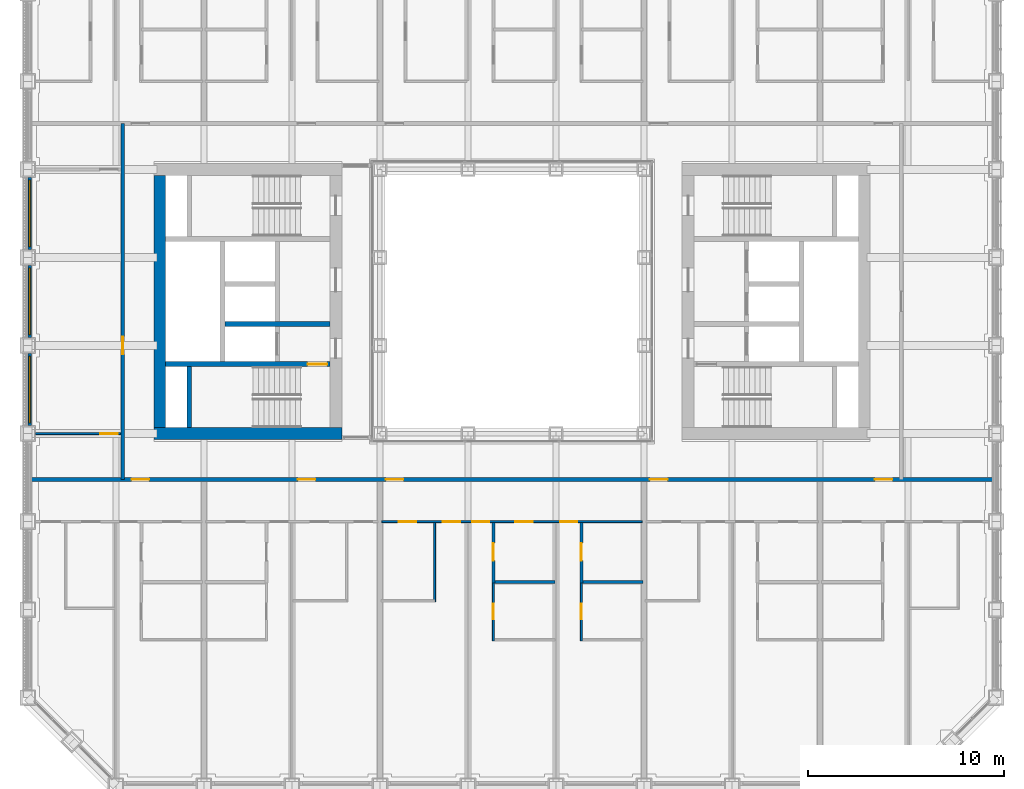
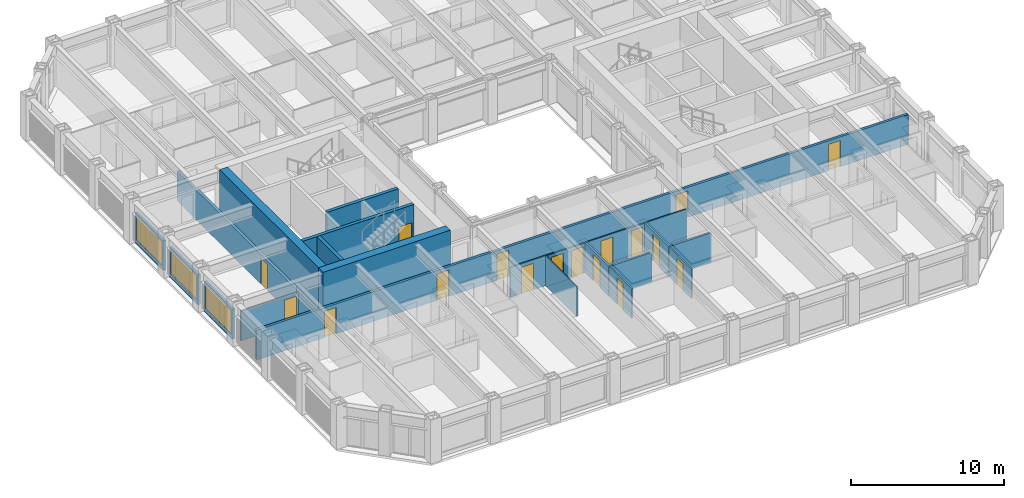
# One storey, part 10 of 21: 19 walls, 17 doors, 3 windows, 20 openings.
"""IFC4 building model written with IfcOpenShell, lengths in metres."""

import ifcopenshell
import ifcopenshell.guid

model = None  # the IFC model being written
_history = None  # IfcOwnerHistory: only IFC2X3 demands one
_inside = {}  # id of a spatial element -> (the spatial element, [elements in it])
_under = {}  # id of a project, library or spatial element -> (it, [spatial elements below it])
_declared = {}  # id of a project -> (the project, [libraries it declares])
_typed = {}  # id of a type object -> (the type object, [elements of that type])
_made_of = {}  # id of a material, layer set ... -> (it, [elements and type objects made of it])


def new_model(schema):
    """Start an empty IFC model of exactly this schema.

    Asked for "IFC4X3", IfcOpenShell would pick the latest addendum, in which some entities
    have other attributes; the version numbers below select the first issue.
    IFC2X3 requires an IfcOwnerHistory on every rooted entity: one is made here for all.
    """
    global model, _history
    if schema == "IFC4X3":
        model = ifcopenshell.file(schema_version=(4, 3, 0, 0))
    else:
        model = ifcopenshell.file(schema=schema)
    _inside.clear()
    _under.clear()
    _declared.clear()
    _typed.clear()
    _made_of.clear()
    _history = None
    if model.schema == "IFC2X3":
        org = make("IfcOrganization", Name="unknown")
        user = make(
            "IfcPersonAndOrganization",
            ThePerson=make("IfcPerson", FamilyName="unknown"),
            TheOrganization=org,
        )
        app = make(
            "IfcApplication",
            ApplicationDeveloper=org,
            Version="unknown",
            ApplicationFullName="unknown",
            ApplicationIdentifier="unknown",
        )
        _history = make(
            "IfcOwnerHistory",
            OwningUser=user,
            OwningApplication=app,
            ChangeAction="ADDED",
            CreationDate=0,
        )
    return model


def make(cls, **values):
    """One entity of the class cls with the attributes given. An attribute that is None is left unset."""
    return model.create_entity(
        cls, **{name: value for name, value in values.items() if value is not None}
    )


def rooted(cls, **values):
    """An entity with a GlobalId (a new one), such as an element, a storey or a relation."""
    return make(cls, GlobalId=ifcopenshell.guid.new(), OwnerHistory=_history, **values)


def si_unit(unit_type, name, prefix=None):
    """IfcSIUnit, for example si_unit("LENGTHUNIT", "METRE", prefix="MILLI")."""
    return make("IfcSIUnit", UnitType=unit_type, Prefix=prefix, Name=name)


def assignment(units):
    """IfcUnitAssignment: the units of a project."""
    return None if units is None else make("IfcUnitAssignment", Units=units)


def point(xyz):
    """IfcCartesianPoint."""
    return None if xyz is None else make("IfcCartesianPoint", Coordinates=xyz)


def direction(xyz):
    """IfcDirection."""
    return None if xyz is None else make("IfcDirection", DirectionRatios=xyz)


def frame(location, z_axis=None, x_axis=None):
    """IfcAxis2Placement3D, a coordinate frame: its origin and axes. An axis left out is left unset."""
    return make(
        "IfcAxis2Placement3D",
        Location=point(location),
        Axis=direction(z_axis),
        RefDirection=direction(x_axis),
    )


def frame_2d(location, x_axis=None):
    """IfcAxis2Placement2D, a coordinate frame in the plane: its origin and x axis."""
    return make(
        "IfcAxis2Placement2D", Location=point(location), RefDirection=direction(x_axis)
    )


def origin():
    """The frame at (0, 0, 0) with its axes left unset."""
    return frame((0.0, 0.0, 0.0))


def place(relative_to, where):
    """IfcLocalPlacement: puts the frame where relative to a parent placement (None: the world)."""
    return make(
        "IfcLocalPlacement", PlacementRelTo=relative_to, RelativePlacement=where
    )


def context(
    kind, dimensions, precision=None, world=None, true_north=None, identifier=None
):
    """IfcGeometricRepresentationContext, for example the 3D "Model" context."""
    return make(
        "IfcGeometricRepresentationContext",
        ContextIdentifier=identifier,
        ContextType=kind,
        CoordinateSpaceDimension=dimensions,
        Precision=precision,
        WorldCoordinateSystem=world,
        TrueNorth=true_north,
    )


def subcontext(parent, identifier, kind, view, scale=None):
    """IfcGeometricRepresentationSubContext, for example "Body" below "Model"."""
    return make(
        "IfcGeometricRepresentationSubContext",
        ContextIdentifier=identifier,
        ContextType=kind,
        ParentContext=parent,
        TargetScale=scale,
        TargetView=view,
    )


def project(units=None, contexts=None):
    """IfcProject with its units and contexts."""
    return rooted(
        "IfcProject",
        Name="project",
        RepresentationContexts=contexts,
        UnitsInContext=assignment(units),
    )


def spatial(cls, under=None, at=None, **own):
    """A site, building, storey or space (cls), placed at a placement, below another one or the project."""
    s = rooted(cls, ObjectPlacement=at, **own)
    if under is not None:
        _under.setdefault(under.id(), (under, []))[1].append(s)
    return s


def profile(cls, at=None, kind="AREA", **sizes):
    """A parametric profile (cls). Its sizes go by their IFC names, for example OverallWidth=200.0."""
    return make(cls, ProfileType=kind, Position=at, **sizes)


def rectangle(**sizes):
    """IfcRectangleProfileDef."""
    return profile("IfcRectangleProfileDef", **sizes)


def extrude(swept, where, along, depth):
    """IfcExtrudedAreaSolid: the profile swept, set in the frame where, extruded along a direction by depth."""
    return make(
        "IfcExtrudedAreaSolid",
        SweptArea=swept,
        Position=where,
        ExtrudedDirection=direction(along),
        Depth=depth,
    )


def shape(context_of_items, identifier, shape_type, items):
    """IfcShapeRepresentation: the items that make up one representation, for example the "Body"."""
    return make(
        "IfcShapeRepresentation",
        ContextOfItems=context_of_items,
        RepresentationIdentifier=identifier,
        RepresentationType=shape_type,
        Items=items,
    )


def material(Name=None, Category=None):
    """IfcMaterial."""
    return make("IfcMaterial", Name=Name, Category=Category)


def layer(
    of_material, thickness, ventilated=None, Name=None, Category=None, Priority=None
):
    """IfcMaterialLayer: one layer of a wall or slab, of a material (None: an air gap)."""
    return make(
        "IfcMaterialLayer",
        Material=of_material,
        LayerThickness=thickness,
        IsVentilated=ventilated,
        Name=Name,
        Category=Category,
        Priority=Priority,
    )


def layer_set(layers, Name=None):
    """IfcMaterialLayerSet."""
    return make("IfcMaterialLayerSet", MaterialLayers=layers, LayerSetName=Name)


def made_of(thing, what):
    """Note that an element or type object is made of a material, layer set ...; save() writes the relation."""
    if what is not None:
        _made_of.setdefault(what.id(), (what, []))[1].append(thing)
    return thing


def type_object(cls, material=None, **own):
    """A type object (cls), such as IfcWallType, which elements share."""
    return made_of(rooted(cls, **own), material)


def element(
    cls,
    number,
    at=None,
    inside=None,
    cuts=None,
    type_object=None,
    material=None,
    context=None,
    identifier="Body",
    shape_type=None,
    held_by="IfcProductDefinitionShape",
    body=None,
    shapes=None,
    **own,
):
    """One element of the class cls, such as IfcWall. Its Tag is "e" and its number.

    at: its placement. inside: the storey or other place that contains it. cuts: it is an
    opening in that element (IfcRelVoidsElement). A single representation is given by context,
    identifier, shape_type and body (its items); several are given by shapes. held_by: the class
    of the entity that holds the representations. save() writes the other relations.
    """
    e = rooted(cls, Tag="e%d" % number, ObjectPlacement=at, **own)
    if body is not None:
        shapes = [shape(context, identifier, shape_type, body)]
    if shapes is not None:
        e.Representation = make(held_by, Representations=shapes)
    if inside is not None:
        _inside.setdefault(inside.id(), (inside, []))[1].append(e)
    if cuts is not None:
        rooted(
            "IfcRelVoidsElement", RelatingBuildingElement=cuts, RelatedOpeningElement=e
        )
    if type_object is not None:
        _typed.setdefault(type_object.id(), (type_object, []))[1].append(e)
    return made_of(e, material)


def fill(opening, filler):
    """IfcRelFillsElement: the door or window that sits in an opening."""
    return rooted(
        "IfcRelFillsElement",
        RelatingOpeningElement=opening,
        RelatedBuildingElement=filler,
    )


def aggregate(whole, parts):
    """IfcRelAggregates: a whole, such as a stair, and the parts it consists of."""
    return rooted("IfcRelAggregates", RelatingObject=whole, RelatedObjects=parts)


def save(model, path):
    """Write the relations noted so far, then the file.

    IfcRelAggregates (storeys below a building ...), IfcRelContainedInSpatialStructure (elements
    in a storey), IfcRelDefinesByType, IfcRelAssociatesMaterial and IfcRelDeclares: one each for
    every whole, place, type object, material and project.
    """
    for whole, parts in _under.values():
        aggregate(whole, parts)
    for where, things in _inside.values():
        rooted(
            "IfcRelContainedInSpatialStructure",
            RelatedElements=things,
            RelatingStructure=where,
        )
    for kind, things in _typed.values():
        rooted("IfcRelDefinesByType", RelatedObjects=things, RelatingType=kind)
    for what, things in _made_of.values():
        rooted("IfcRelAssociatesMaterial", RelatedObjects=things, RelatingMaterial=what)
    for by, libraries in _declared.values():
        rooted("IfcRelDeclares", RelatingContext=by, RelatedDefinitions=libraries)
    model.write(path)


model = new_model("IFC4")

# Units and contexts
model_context = context("Model", 3, precision=1e-05, world=origin(), true_north=direction((0.0, 1.0)))
body_context = subcontext(model_context, "Body", "Model", "MODEL_VIEW")
ifc_project = project(units=[si_unit("LENGTHUNIT", "METRE"), si_unit("AREAUNIT", "SQUARE_METRE"), si_unit("VOLUMEUNIT", "CUBIC_METRE"), si_unit("PLANEANGLEUNIT", "RADIAN"), si_unit("MASSUNIT", "GRAM", prefix="KILO")], contexts=[model_context])

# Site, building, storey
site_placement = place(None, origin())
site = spatial("IfcSite", under=ifc_project, at=site_placement, CompositionType="ELEMENT")
building_placement = place(site_placement, origin())
building = spatial("IfcBuilding", under=site, at=building_placement, Name="Msasa Ring Tower", CompositionType="ELEMENT")
storey_placement = place(building_placement, frame((0.0, 0.0, 51.0)))
storey = spatial("IfcBuildingStorey", under=building, at=storey_placement, Name="L12", CompositionType="ELEMENT", Elevation=51.0)

# Walls
ifc_material_1 = material(Name="Concrete C60/75", Category="concrete")
ifc_layer_1 = layer(ifc_material_1, 0.60009765625)
ifc_layer_set_1 = layer_set([ifc_layer_1], Name="CW1 CORE WALL 600")
wall_type_1 = type_object("IfcWallType", Name="CW1 CORE WALL 600", PredefinedType="SHEAR", material=ifc_layer_set_1)
wall_1_placement = place(storey_placement, frame((-8.699951171875, -6.75, 0.0), z_axis=(0.0, 0.0, 1.0), x_axis=(-1.0, 0.0, 0.0)))
element("IfcWall", 1, at=wall_1_placement, inside=storey, type_object=wall_type_1, Name="W core wall S L12", PredefinedType="SHEAR", context=body_context, shape_type="SweptSolid", body=[
    extrude(rectangle(XDim=9.60009765625, YDim=0.60009765625, at=frame_2d((4.800048828125, 0.0))), origin(), (0.0, 0.0, 1.0), 3.5),
])
wall_2_placement = place(storey_placement, frame((-18.0, -6.449951171875, 0.0), z_axis=(0.0, 0.0, 1.0), x_axis=(0.0, 1.0, 0.0)))
element("IfcWall", 2, at=wall_2_placement, inside=storey, type_object=wall_type_1, Name="W core wall E L12", PredefinedType="SHEAR", context=body_context, shape_type="SweptSolid", body=[
    extrude(rectangle(XDim=12.89990234375, YDim=0.60009765625, at=frame_2d((6.449951171875, 0.0))), origin(), (0.0, 0.0, 1.0), 3.5),
])

# Wall, opening, door
ifc_material_2 = material(Name="Concrete C60/75", Category="concrete")
ifc_layer_2 = layer(ifc_material_2, 0.25)
ifc_layer_set_2 = layer_set([ifc_layer_2], Name="CW4 CORE INNER WALL 250")
wall_type_2 = type_object("IfcWallType", Name="CW4 CORE INNER WALL 250", PredefinedType="SHEAR", material=ifc_layer_set_2)
wall_3_placement = place(storey_placement, frame((-9.300048828125, -3.199951171875, 0.0), z_axis=(0.0, 0.0, 1.0), x_axis=(-1.0, 0.0, 0.0)))
wall_3 = element("IfcWall", 3, at=wall_3_placement, inside=storey, type_object=wall_type_2, Name="W core wall STAIRA L12", PredefinedType="SHEAR", context=body_context, shape_type="SweptSolid", body=[
    extrude(rectangle(XDim=8.39990234375, YDim=0.25, at=frame_2d((4.199951171875, 0.0))), origin(), (0.0, 0.0, 1.0), 3.5),
])
opening_1_placement = place(wall_3_placement, frame((0.14990234375, 0.0, 0.0)))
opening_1 = element("IfcOpeningElement", 4, at=opening_1_placement, cuts=wall_3, Name="Opening RC-044", PredefinedType="OPENING", context=body_context, shape_type="SweptSolid", body=[
    extrude(rectangle(XDim=1.0, YDim=2.10009765625, at=frame_2d((0.5, 1.050048828125))), frame((0.0, 0.135009765625, 0.0), z_axis=(0.0, -1.0, 0.0), x_axis=(1.0, 0.0, 0.0)), (0.0, 0.0, 1.0), 0.27001953125),
])
ifc_material_3 = material(Name="Timber door leaf in a steel frame", Category="steel")
door_type_1 = type_object("IfcDoorType", Name="D6 STAIR DOOR 1000x2100", OperationType="SINGLE_SWING_LEFT", PredefinedType="DOOR", material=ifc_material_3)
door_1_placement = place(opening_1_placement, origin())
door_1 = element("IfcDoor", 5, at=door_1_placement, inside=storey, type_object=door_type_1, Name="Door L12-WSTA", OperationType="SINGLE_SWING_LEFT", OverallHeight=2.10009765625, OverallWidth=1.0, PredefinedType="DOOR", context=body_context, shape_type="SweptSolid", body=[
    extrude(rectangle(XDim=1.0, YDim=2.10009765625, at=frame_2d((0.5, 1.050048828125))), frame((0.0, 0.02490234375, 0.0), z_axis=(0.0, -1.0, 0.0), x_axis=(1.0, 0.0, 0.0)), (0.0, 0.0, 1.0), 0.050048828125),
])
fill(opening_1, door_1)

# Walls
wall_4_placement = place(storey_placement, frame((-16.5, -6.449951171875, 0.0), z_axis=(0.0, 0.0, 1.0), x_axis=(0.0, 1.0, 0.0)))
element("IfcWall", 6, at=wall_4_placement, inside=storey, type_object=wall_type_2, Name="W core wall RISERA L12", PredefinedType="SHEAR", context=body_context, shape_type="SweptSolid", body=[
    extrude(rectangle(XDim=3.125, YDim=0.25, at=frame_2d((1.5625, 0.0))), origin(), (0.0, 0.0, 1.0), 3.5),
])
wall_5_placement = place(storey_placement, frame((-9.300048828125, -1.14990234375, 0.0), z_axis=(0.0, 0.0, 1.0), x_axis=(-1.0, 0.0, 0.0)))
element("IfcWall", 7, at=wall_5_placement, inside=storey, type_object=wall_type_2, Name="W core wall FFL L12", PredefinedType="SHEAR", context=body_context, shape_type="SweptSolid", body=[
    extrude(rectangle(XDim=5.375, YDim=0.25, at=frame_2d((2.6875, 0.0))), origin(), (0.0, 0.0, 1.0), 3.5),
])

# Wall, opening, window
ifc_material_4 = material(Name="Terracotta rainscreen on blockwork", Category="masonry")
ifc_layer_3 = layer(ifc_material_4, 0.199951171875)
ifc_layer_set_3 = layer_set([ifc_layer_3], Name="FW1 TERRACOTTA-LINED INFILL BAY WALL 200")
wall_type_3 = type_object("IfcWallType", Name="FW1 TERRACOTTA-LINED INFILL BAY WALL 200", PredefinedType="SOLIDWALL", material=ifc_layer_set_3)
wall_6_placement = place(storey_placement, frame((-24.64990234375, -6.344970703125, 0.0), z_axis=(0.0, 0.0, 1.0), x_axis=(0.0, 1.0, 0.0)))
wall_6 = element("IfcWall", 8, at=wall_6_placement, inside=storey, type_object=wall_type_3, Name="Infill bay wall W L12 36", PredefinedType="SOLIDWALL", context=body_context, shape_type="SweptSolid", body=[
    extrude(rectangle(XDim=3.68994140625, YDim=0.199951171875, at=frame_2d((1.844970703125, 0.0))), origin(), (0.0, 0.0, 1.0), 2.37890625),
])
opening_2_placement = place(wall_6_placement, frame((0.14501953125, 0.0, 0.300048828125)))
opening_2 = element("IfcOpeningElement", 9, at=opening_2_placement, cuts=wall_6, Name="Opening WN1", PredefinedType="OPENING", context=body_context, shape_type="SweptSolid", body=[
    extrude(rectangle(XDim=3.39990234375, YDim=1.928955078125, at=frame_2d((1.699951171875, 0.96435546875))), frame((0.0, 0.10986328125, 0.0), z_axis=(0.0, -1.0, 0.0), x_axis=(1.0, 0.0, 0.0)), (0.0, 0.0, 1.0), 0.219970703125),
])
ifc_material_5 = material(Name="Aluminium frame with clear glass", Category="aluminium")
window_type = type_object("IfcWindowType", Name="WN1 RESIDENCE WINDOW 3400x1929", PartitioningType="SINGLE_PANEL", PredefinedType="WINDOW", material=ifc_material_5)
window_1_placement = place(opening_2_placement, origin())
window_1 = element("IfcWindow", 10, at=window_1_placement, inside=storey, type_object=window_type, Name="Window W L12 36", OverallHeight=1.928955078125, OverallWidth=3.39990234375, PartitioningType="SINGLE_PANEL", PredefinedType="WINDOW", context=body_context, shape_type="SweptSolid", body=[
    extrude(rectangle(XDim=3.39990234375, YDim=1.928955078125, at=frame_2d((1.699951171875, 0.96435546875))), frame((0.0, 0.030029296875, 0.0), z_axis=(0.0, -1.0, 0.0), x_axis=(1.0, 0.0, 0.0)), (0.0, 0.0, 1.0), 0.06005859375),
])
fill(opening_2, window_1)

wall_7_placement = place(storey_placement, frame((-24.64990234375, -1.844970703125, 0.0), z_axis=(0.0, 0.0, 1.0), x_axis=(0.0, 1.0, 0.0)))
wall_7 = element("IfcWall", 11, at=wall_7_placement, inside=storey, type_object=wall_type_3, Name="Infill bay wall W L12 37", PredefinedType="SOLIDWALL", context=body_context, shape_type="SweptSolid", body=[
    extrude(rectangle(XDim=3.68994140625, YDim=0.199951171875, at=frame_2d((1.844970703125, 0.0))), origin(), (0.0, 0.0, 1.0), 2.37890625),
])
opening_3_placement = place(wall_7_placement, frame((0.14501953125, 0.0, 0.300048828125)))
opening_3 = element("IfcOpeningElement", 12, at=opening_3_placement, cuts=wall_7, Name="Opening WN1", PredefinedType="OPENING", context=body_context, shape_type="SweptSolid", body=[
    extrude(rectangle(XDim=3.39990234375, YDim=1.928955078125, at=frame_2d((1.699951171875, 0.96435546875))), frame((0.0, 0.10986328125, 0.0), z_axis=(0.0, -1.0, 0.0), x_axis=(1.0, 0.0, 0.0)), (0.0, 0.0, 1.0), 0.219970703125),
])
window_2_placement = place(opening_3_placement, origin())
window_2 = element("IfcWindow", 13, at=window_2_placement, inside=storey, type_object=window_type, Name="Window W L12 37", OverallHeight=1.928955078125, OverallWidth=3.39990234375, PartitioningType="SINGLE_PANEL", PredefinedType="WINDOW", context=body_context, shape_type="SweptSolid", body=[
    extrude(rectangle(XDim=3.39990234375, YDim=1.928955078125, at=frame_2d((1.699951171875, 0.96435546875))), frame((0.0, 0.030029296875, 0.0), z_axis=(0.0, -1.0, 0.0), x_axis=(1.0, 0.0, 0.0)), (0.0, 0.0, 1.0), 0.06005859375),
])
fill(opening_3, window_2)

wall_8_placement = place(storey_placement, frame((-24.64990234375, 2.655029296875, 0.0), z_axis=(0.0, 0.0, 1.0), x_axis=(0.0, 1.0, 0.0)))
wall_8 = element("IfcWall", 14, at=wall_8_placement, inside=storey, type_object=wall_type_3, Name="Infill bay wall W L12 38", PredefinedType="SOLIDWALL", context=body_context, shape_type="SweptSolid", body=[
    extrude(rectangle(XDim=3.68994140625, YDim=0.199951171875, at=frame_2d((1.844970703125, 0.0))), origin(), (0.0, 0.0, 1.0), 2.37890625),
])
opening_4_placement = place(wall_8_placement, frame((0.14501953125, 0.0, 0.300048828125)))
opening_4 = element("IfcOpeningElement", 15, at=opening_4_placement, cuts=wall_8, Name="Opening WN1", PredefinedType="OPENING", context=body_context, shape_type="SweptSolid", body=[
    extrude(rectangle(XDim=3.39990234375, YDim=1.928955078125, at=frame_2d((1.699951171875, 0.96435546875))), frame((0.0, 0.10986328125, 0.0), z_axis=(0.0, -1.0, 0.0), x_axis=(1.0, 0.0, 0.0)), (0.0, 0.0, 1.0), 0.219970703125),
])
window_3_placement = place(opening_4_placement, origin())
window_3 = element("IfcWindow", 16, at=window_3_placement, inside=storey, type_object=window_type, Name="Window W L12 38", OverallHeight=1.928955078125, OverallWidth=3.39990234375, PartitioningType="SINGLE_PANEL", PredefinedType="WINDOW", context=body_context, shape_type="SweptSolid", body=[
    extrude(rectangle(XDim=3.39990234375, YDim=1.928955078125, at=frame_2d((1.699951171875, 0.96435546875))), frame((0.0, 0.030029296875, 0.0), z_axis=(0.0, -1.0, 0.0), x_axis=(1.0, 0.0, 0.0)), (0.0, 0.0, 1.0), 0.06005859375),
])
fill(opening_4, window_3)

# Wall, openings, doors
ifc_material_6 = material(Name="Concrete blockwork", Category="masonry")
ifc_layer_4 = layer(ifc_material_6, 0.199951171875)
ifc_layer_set_4 = layer_set([ifc_layer_4], Name="PT1 CORRIDOR WALL 200")
wall_type_4 = type_object("IfcWallType", Name="PT1 CORRIDOR WALL 200", PredefinedType="PARTITIONING", material=ifc_layer_set_4)
wall_9_placement = place(storey_placement, frame((-24.550048828125, -9.10009765625, 0.0), z_axis=(0.0, 0.0, 1.0), x_axis=(1.0, 0.0, 0.0)))
wall_9 = element("IfcWall", 17, at=wall_9_placement, inside=storey, type_object=wall_type_4, Name="Corridor wall L12-CORRS0", PredefinedType="PARTITIONING", context=body_context, shape_type="SweptSolid", body=[
    extrude(rectangle(XDim=49.10009765625, YDim=0.199951171875, at=frame_2d((24.550048828125, 0.0))), origin(), (0.0, 0.0, 1.0), 2.373291015625),
])
opening_5_placement = place(wall_9_placement, frame((5.10009765625, 0.0, 0.0)))
opening_5 = element("IfcOpeningElement", 18, at=opening_5_placement, cuts=wall_9, Name="Opening RC-048", PredefinedType="OPENING", context=body_context, shape_type="SweptSolid", body=[
    extrude(rectangle(XDim=0.89990234375, YDim=2.10009765625, at=frame_2d((0.449951171875, 1.050048828125))), frame((0.0, 0.10986328125, 0.0), z_axis=(0.0, -1.0, 0.0), x_axis=(1.0, 0.0, 0.0)), (0.0, 0.0, 1.0), 0.219970703125),
])
opening_6_placement = place(wall_9_placement, frame((13.60009765625, 0.0, 0.0)))
opening_6 = element("IfcOpeningElement", 19, at=opening_6_placement, cuts=wall_9, Name="Opening RC-049", PredefinedType="OPENING", context=body_context, shape_type="SweptSolid", body=[
    extrude(rectangle(XDim=0.89990234375, YDim=2.10009765625, at=frame_2d((0.449951171875, 1.050048828125))), frame((0.0, 0.10986328125, 0.0), z_axis=(0.0, -1.0, 0.0), x_axis=(1.0, 0.0, 0.0)), (0.0, 0.0, 1.0), 0.219970703125),
])
opening_7_placement = place(wall_9_placement, frame((18.10009765625, 0.0, 0.0)))
opening_7 = element("IfcOpeningElement", 20, at=opening_7_placement, cuts=wall_9, Name="Opening RC-050", PredefinedType="OPENING", context=body_context, shape_type="SweptSolid", body=[
    extrude(rectangle(XDim=0.89990234375, YDim=2.10009765625, at=frame_2d((0.449951171875, 1.050048828125))), frame((0.0, 0.10986328125, 0.0), z_axis=(0.0, -1.0, 0.0), x_axis=(1.0, 0.0, 0.0)), (0.0, 0.0, 1.0), 0.219970703125),
])
opening_8_placement = place(wall_9_placement, frame((31.60009765625, 0.0, 0.0)))
opening_8 = element("IfcOpeningElement", 21, at=opening_8_placement, cuts=wall_9, Name="Opening RC-051", PredefinedType="OPENING", context=body_context, shape_type="SweptSolid", body=[
    extrude(rectangle(XDim=0.89990234375, YDim=2.10009765625, at=frame_2d((0.449951171875, 1.050048828125))), frame((0.0, 0.10986328125, 0.0), z_axis=(0.0, -1.0, 0.0), x_axis=(1.0, 0.0, 0.0)), (0.0, 0.0, 1.0), 0.219970703125),
])
opening_9_placement = place(wall_9_placement, frame((43.10009765625, 0.0, 0.0)))
opening_9 = element("IfcOpeningElement", 22, at=opening_9_placement, cuts=wall_9, Name="Opening RC-052", PredefinedType="OPENING", context=body_context, shape_type="SweptSolid", body=[
    extrude(rectangle(XDim=0.89990234375, YDim=2.10009765625, at=frame_2d((0.449951171875, 1.050048828125))), frame((0.0, 0.10986328125, 0.0), z_axis=(0.0, -1.0, 0.0), x_axis=(1.0, 0.0, 0.0)), (0.0, 0.0, 1.0), 0.219970703125),
])
ifc_material_7 = material(Name="Timber door leaf in a steel frame", Category="steel")
door_type_2 = type_object("IfcDoorType", Name="D2 ENTRANCE DOOR 900x2100", OperationType="SINGLE_SWING_LEFT", PredefinedType="DOOR", material=ifc_material_7)
door_2_placement = place(opening_5_placement, origin())
door_2 = element("IfcDoor", 23, at=door_2_placement, inside=storey, type_object=door_type_2, Name="Door L12-US00", OperationType="SINGLE_SWING_LEFT", OverallHeight=2.10009765625, OverallWidth=0.89990234375, PredefinedType="DOOR", context=body_context, shape_type="SweptSolid", body=[
    extrude(rectangle(XDim=0.89990234375, YDim=2.10009765625, at=frame_2d((0.449951171875, 1.050048828125))), frame((0.0, 0.02490234375, 0.0), z_axis=(0.0, -1.0, 0.0), x_axis=(1.0, 0.0, 0.0)), (0.0, 0.0, 1.0), 0.050048828125),
])
fill(opening_5, door_2)
door_3_placement = place(opening_6_placement, origin())
door_3 = element("IfcDoor", 24, at=door_3_placement, inside=storey, type_object=door_type_2, Name="Door L12-US01", OperationType="SINGLE_SWING_LEFT", OverallHeight=2.10009765625, OverallWidth=0.89990234375, PredefinedType="DOOR", context=body_context, shape_type="SweptSolid", body=[
    extrude(rectangle(XDim=0.89990234375, YDim=2.10009765625, at=frame_2d((0.449951171875, 1.050048828125))), frame((0.0, 0.02490234375, 0.0), z_axis=(0.0, -1.0, 0.0), x_axis=(1.0, 0.0, 0.0)), (0.0, 0.0, 1.0), 0.050048828125),
])
fill(opening_6, door_3)
door_4_placement = place(opening_7_placement, origin())
door_4 = element("IfcDoor", 25, at=door_4_placement, inside=storey, type_object=door_type_2, Name="Door L12-US02", OperationType="SINGLE_SWING_LEFT", OverallHeight=2.10009765625, OverallWidth=0.89990234375, PredefinedType="DOOR", context=body_context, shape_type="SweptSolid", body=[
    extrude(rectangle(XDim=0.89990234375, YDim=2.10009765625, at=frame_2d((0.449951171875, 1.050048828125))), frame((0.0, 0.02490234375, 0.0), z_axis=(0.0, -1.0, 0.0), x_axis=(1.0, 0.0, 0.0)), (0.0, 0.0, 1.0), 0.050048828125),
])
fill(opening_7, door_4)
door_5_placement = place(opening_8_placement, origin())
door_5 = element("IfcDoor", 26, at=door_5_placement, inside=storey, type_object=door_type_2, Name="Door L12-US03", OperationType="SINGLE_SWING_RIGHT", OverallHeight=2.10009765625, OverallWidth=0.89990234375, PredefinedType="DOOR", context=body_context, shape_type="SweptSolid", body=[
    extrude(rectangle(XDim=0.89990234375, YDim=2.10009765625, at=frame_2d((0.449951171875, 1.050048828125))), frame((0.0, 0.02490234375, 0.0), z_axis=(0.0, -1.0, 0.0), x_axis=(1.0, 0.0, 0.0)), (0.0, 0.0, 1.0), 0.050048828125),
])
fill(opening_8, door_5)
door_6_placement = place(opening_9_placement, origin())
door_6 = element("IfcDoor", 27, at=door_6_placement, inside=storey, type_object=door_type_2, Name="Door L12-US04", OperationType="SINGLE_SWING_RIGHT", OverallHeight=2.10009765625, OverallWidth=0.89990234375, PredefinedType="DOOR", context=body_context, shape_type="SweptSolid", body=[
    extrude(rectangle(XDim=0.89990234375, YDim=2.10009765625, at=frame_2d((0.449951171875, 1.050048828125))), frame((0.0, 0.02490234375, 0.0), z_axis=(0.0, -1.0, 0.0), x_axis=(1.0, 0.0, 0.0)), (0.0, 0.0, 1.0), 0.050048828125),
])
fill(opening_9, door_6)

# Wall, opening, door
wall_10_placement = place(storey_placement, frame((-19.89990234375, -9.10009765625, 0.0), z_axis=(0.0, 0.0, 1.0), x_axis=(0.0, 1.0, 0.0)))
wall_10 = element("IfcWall", 28, at=wall_10_placement, inside=storey, type_object=wall_type_4, Name="Corridor wall L12-STRW", PredefinedType="PARTITIONING", context=body_context, shape_type="SweptSolid", body=[
    extrude(rectangle(XDim=18.2001953125, YDim=0.199951171875, at=frame_2d((9.10009765625, 0.0))), origin(), (0.0, 0.0, 1.0), 2.373291015625),
])
opening_10_placement = place(wall_10_placement, frame((6.39990234375, 0.0, 0.0)))
opening_10 = element("IfcOpeningElement", 29, at=opening_10_placement, cuts=wall_10, Name="Opening RC-041", PredefinedType="OPENING", context=body_context, shape_type="SweptSolid", body=[
    extrude(rectangle(XDim=0.89990234375, YDim=2.10009765625, at=frame_2d((0.449951171875, 1.050048828125))), frame((0.0, 0.10986328125, 0.0), z_axis=(0.0, -1.0, 0.0), x_axis=(1.0, 0.0, 0.0)), (0.0, 0.0, 1.0), 0.219970703125),
])
door_7_placement = place(opening_10_placement, origin())
door_7 = element("IfcDoor", 30, at=door_7_placement, inside=storey, type_object=door_type_2, Name="Door L12-STW", OperationType="SINGLE_SWING_LEFT", OverallHeight=2.10009765625, OverallWidth=0.89990234375, PredefinedType="DOOR", context=body_context, shape_type="SweptSolid", body=[
    extrude(rectangle(XDim=0.89990234375, YDim=2.10009765625, at=frame_2d((0.449951171875, 1.050048828125))), frame((0.0, 0.02490234375, 0.0), z_axis=(0.0, -1.0, 0.0), x_axis=(1.0, 0.0, 0.0)), (0.0, 0.0, 1.0), 0.050048828125),
])
fill(opening_10, door_7)

# Wall, openings, doors
ifc_material_8 = material(Name="Gypsum board on steel studs", Category="steel")
ifc_layer_5 = layer(ifc_material_8, 0.10009765625)
ifc_layer_set_5 = layer_set([ifc_layer_5], Name="PT2 STUD PARTITION 100")
wall_type_5 = type_object("IfcWallType", Name="PT2 STUD PARTITION 100", PredefinedType="PARTITIONING", material=ifc_layer_set_5)
wall_11_placement = place(storey_placement, frame((-6.64990234375, -11.25, 0.0), z_axis=(0.0, 0.0, 1.0), x_axis=(1.0, 0.0, 0.0)))
wall_11 = element("IfcWall", 31, at=wall_11_placement, inside=storey, type_object=wall_type_5, Name="Partition L12-US02HY", PredefinedType="PARTITIONING", context=body_context, shape_type="SweptSolid", body=[
    extrude(rectangle(XDim=13.2998046875, YDim=0.10009765625, at=frame_2d((6.64990234375, 0.0))), origin(), (0.0, 0.0, 1.0), 2.373291015625),
])
opening_11_placement = place(wall_11_placement, frame((0.85009765625, 0.0, 0.0)))
opening_11 = element("IfcOpeningElement", 32, at=opening_11_placement, cuts=wall_11, Name="Opening RC-061", PredefinedType="OPENING", context=body_context, shape_type="SweptSolid", body=[
    extrude(rectangle(XDim=0.89990234375, YDim=2.10009765625, at=frame_2d((0.449951171875, 1.050048828125))), frame((0.0, 0.06005859375, 0.0), z_axis=(0.0, -1.0, 0.0), x_axis=(1.0, 0.0, 0.0)), (0.0, 0.0, 1.0), 0.1201171875),
])
opening_12_placement = place(wall_11_placement, frame((3.10009765625, 0.0, 0.0)))
opening_12 = element("IfcOpeningElement", 33, at=opening_12_placement, cuts=wall_11, Name="Opening RC-062", PredefinedType="OPENING", context=body_context, shape_type="SweptSolid", body=[
    extrude(rectangle(XDim=0.89990234375, YDim=2.10009765625, at=frame_2d((0.449951171875, 1.050048828125))), frame((0.0, 0.06005859375, 0.0), z_axis=(0.0, -1.0, 0.0), x_axis=(1.0, 0.0, 0.0)), (0.0, 0.0, 1.0), 0.1201171875),
])
opening_13_placement = place(wall_11_placement, frame((4.625, 0.0, 0.0)))
opening_13 = element("IfcOpeningElement", 34, at=opening_13_placement, cuts=wall_11, Name="Opening RC-063", PredefinedType="OPENING", context=body_context, shape_type="SweptSolid", body=[
    extrude(rectangle(XDim=0.85009765625, YDim=2.10009765625, at=frame_2d((0.425048828125, 1.050048828125))), frame((0.0, 0.06005859375, 0.0), z_axis=(0.0, -1.0, 0.0), x_axis=(1.0, 0.0, 0.0)), (0.0, 0.0, 1.0), 0.1201171875),
])
opening_14_placement = place(wall_11_placement, frame((6.820068359375, 0.0, 0.0)))
opening_14 = element("IfcOpeningElement", 35, at=opening_14_placement, cuts=wall_11, Name="Opening RC-064", PredefinedType="OPENING", context=body_context, shape_type="SweptSolid", body=[
    extrude(rectangle(XDim=0.89990234375, YDim=2.10009765625, at=frame_2d((0.449951171875, 1.050048828125))), frame((0.0, 0.06005859375, 0.0), z_axis=(0.0, -1.0, 0.0), x_axis=(1.0, 0.0, 0.0)), (0.0, 0.0, 1.0), 0.1201171875),
])
opening_15_placement = place(wall_11_placement, frame((9.125, 0.0, 0.0)))
opening_15 = element("IfcOpeningElement", 36, at=opening_15_placement, cuts=wall_11, Name="Opening RC-065", PredefinedType="OPENING", context=body_context, shape_type="SweptSolid", body=[
    extrude(rectangle(XDim=0.85009765625, YDim=2.10009765625, at=frame_2d((0.425048828125, 1.050048828125))), frame((0.0, 0.06005859375, 0.0), z_axis=(0.0, -1.0, 0.0), x_axis=(1.0, 0.0, 0.0)), (0.0, 0.0, 1.0), 0.1201171875),
])
ifc_material_9 = material(Name="Timber door leaf in a steel frame", Category="steel")
door_type_3 = type_object("IfcDoorType", Name="D14 BEDROOM DOOR 850x2100", OperationType="SINGLE_SWING_LEFT", PredefinedType="DOOR", material=ifc_material_9)
door_8_placement = place(opening_13_placement, origin())
door_8 = element("IfcDoor", 37, at=door_8_placement, inside=storey, type_object=door_type_3, Name="Door L12-US02R1", OperationType="SINGLE_SWING_LEFT", OverallHeight=2.10009765625, OverallWidth=0.85009765625, PredefinedType="DOOR", context=body_context, shape_type="SweptSolid", body=[
    extrude(rectangle(XDim=0.85009765625, YDim=2.10009765625, at=frame_2d((0.425048828125, 1.050048828125))), frame((0.0, 0.02490234375, 0.0), z_axis=(0.0, -1.0, 0.0), x_axis=(1.0, 0.0, 0.0)), (0.0, 0.0, 1.0), 0.050048828125),
])
fill(opening_13, door_8)
door_9_placement = place(opening_15_placement, origin())
door_9 = element("IfcDoor", 38, at=door_9_placement, inside=storey, type_object=door_type_3, Name="Door L12-US02R2", OperationType="SINGLE_SWING_RIGHT", OverallHeight=2.10009765625, OverallWidth=0.85009765625, PredefinedType="DOOR", context=body_context, shape_type="SweptSolid", body=[
    extrude(rectangle(XDim=0.85009765625, YDim=2.10009765625, at=frame_2d((0.425048828125, 1.050048828125))), frame((0.0, 0.02490234375, 0.0), z_axis=(0.0, -1.0, 0.0), x_axis=(1.0, 0.0, 0.0)), (0.0, 0.0, 1.0), 0.050048828125),
])
fill(opening_15, door_9)
ifc_material_10 = material(Name="Timber door leaf in a steel frame", Category="steel")
door_type_4 = type_object("IfcDoorType", Name="D22 INTERNAL HALL DOOR 900x2100", OperationType="SINGLE_SWING_LEFT", PredefinedType="DOOR", material=ifc_material_10)
door_10_placement = place(opening_11_placement, origin())
door_10 = element("IfcDoor", 39, at=door_10_placement, inside=storey, type_object=door_type_4, Name="Door L12-US02K", OperationType="SINGLE_SWING_LEFT", OverallHeight=2.10009765625, OverallWidth=0.89990234375, PredefinedType="DOOR", context=body_context, shape_type="SweptSolid", body=[
    extrude(rectangle(XDim=0.89990234375, YDim=2.10009765625, at=frame_2d((0.449951171875, 1.050048828125))), frame((0.0, 0.02490234375, 0.0), z_axis=(0.0, -1.0, 0.0), x_axis=(1.0, 0.0, 0.0)), (0.0, 0.0, 1.0), 0.050048828125),
])
fill(opening_11, door_10)
door_11_placement = place(opening_12_placement, origin())
door_11 = element("IfcDoor", 40, at=door_11_placement, inside=storey, type_object=door_type_4, Name="Door L12-US02L", OperationType="SINGLE_SWING_LEFT", OverallHeight=2.10009765625, OverallWidth=0.89990234375, PredefinedType="DOOR", context=body_context, shape_type="SweptSolid", body=[
    extrude(rectangle(XDim=0.89990234375, YDim=2.10009765625, at=frame_2d((0.449951171875, 1.050048828125))), frame((0.0, 0.02490234375, 0.0), z_axis=(0.0, -1.0, 0.0), x_axis=(1.0, 0.0, 0.0)), (0.0, 0.0, 1.0), 0.050048828125),
])
fill(opening_12, door_11)
ifc_material_11 = material(Name="Timber door leaf in a steel frame", Category="steel")
door_type_5 = type_object("IfcDoorType", Name="D3 BATHROOM DOOR 900x2100", OperationType="SINGLE_SWING_LEFT", PredefinedType="DOOR", material=ifc_material_11)
door_12_placement = place(opening_14_placement, origin())
door_12 = element("IfcDoor", 41, at=door_12_placement, inside=storey, type_object=door_type_5, Name="Door L12-US02BH1", OperationType="SINGLE_SWING_RIGHT", OverallHeight=2.10009765625, OverallWidth=0.89990234375, PredefinedType="DOOR", context=body_context, shape_type="SweptSolid", body=[
    extrude(rectangle(XDim=0.89990234375, YDim=2.10009765625, at=frame_2d((0.449951171875, 1.050048828125))), frame((0.0, 0.02490234375, 0.0), z_axis=(0.0, -1.0, 0.0), x_axis=(1.0, 0.0, 0.0)), (0.0, 0.0, 1.0), 0.050048828125),
])
fill(opening_14, door_12)

# Wall
wall_12_placement = place(storey_placement, frame((-3.949951171875, -15.35009765625, 0.0), z_axis=(0.0, 0.0, 1.0), x_axis=(0.0, 1.0, 0.0)))
element("IfcWall", 42, at=wall_12_placement, inside=storey, type_object=wall_type_5, Name="Partition L12-US02KX", PredefinedType="PARTITIONING", context=body_context, shape_type="SweptSolid", body=[
    extrude(rectangle(XDim=4.050048828125, YDim=0.10009765625, at=frame_2d((2.02490234375, 0.0))), origin(), (0.0, 0.0, 1.0), 2.373291015625),
])

# Wall, opening, door
wall_13_placement = place(storey_placement, frame((-0.949951171875, -17.343505859375, 0.0), z_axis=(0.0, 0.0, 1.0), x_axis=(0.0, 1.0, 0.0)))
wall_13 = element("IfcWall", 43, at=wall_13_placement, inside=storey, type_object=wall_type_5, Name="Partition L12-US02WX1", PredefinedType="PARTITIONING", context=body_context, shape_type="SweptSolid", body=[
    extrude(rectangle(XDim=2.943603515625, YDim=0.10009765625, at=frame_2d((1.4716796875, 0.0))), origin(), (0.0, 0.0, 1.0), 2.373291015625),
])
opening_16_placement = place(wall_13_placement, frame((1.0966796875, 0.0, 0.0)))
opening_16 = element("IfcOpeningElement", 44, at=opening_16_placement, cuts=wall_13, Name="Opening RC-082", PredefinedType="OPENING", context=body_context, shape_type="SweptSolid", body=[
    extrude(rectangle(XDim=0.800048828125, YDim=2.10009765625, at=frame_2d((0.39990234375, 1.050048828125))), frame((0.0, 0.06005859375, 0.0), z_axis=(0.0, -1.0, 0.0), x_axis=(1.0, 0.0, 0.0)), (0.0, 0.0, 1.0), 0.1201171875),
])
ifc_material_12 = material(Name="Timber door leaf in a steel frame", Category="steel")
door_type_6 = type_object("IfcDoorType", Name="D60 DRESSING ROOM DOOR 800x2100", OperationType="SINGLE_SWING_LEFT", PredefinedType="DOOR", material=ifc_material_12)
door_13_placement = place(opening_16_placement, origin())
door_13 = element("IfcDoor", 45, at=door_13_placement, inside=storey, type_object=door_type_6, Name="Door L12-US02W1", OperationType="SINGLE_SWING_LEFT", OverallHeight=2.10009765625, OverallWidth=0.800048828125, PredefinedType="DOOR", context=body_context, shape_type="SweptSolid", body=[
    extrude(rectangle(XDim=0.800048828125, YDim=2.10009765625, at=frame_2d((0.39990234375, 1.050048828125))), frame((0.0, 0.02490234375, 0.0), z_axis=(0.0, -1.0, 0.0), x_axis=(1.0, 0.0, 0.0)), (0.0, 0.0, 1.0), 0.050048828125),
])
fill(opening_16, door_13)

wall_14_placement = place(storey_placement, frame((3.550048828125, -17.343505859375, 0.0), z_axis=(0.0, 0.0, 1.0), x_axis=(0.0, 1.0, 0.0)))
wall_14 = element("IfcWall", 46, at=wall_14_placement, inside=storey, type_object=wall_type_5, Name="Partition L12-US02WX2", PredefinedType="PARTITIONING", context=body_context, shape_type="SweptSolid", body=[
    extrude(rectangle(XDim=2.943603515625, YDim=0.10009765625, at=frame_2d((1.4716796875, 0.0))), origin(), (0.0, 0.0, 1.0), 2.373291015625),
])
opening_17_placement = place(wall_14_placement, frame((1.0966796875, 0.0, 0.0)))
opening_17 = element("IfcOpeningElement", 47, at=opening_17_placement, cuts=wall_14, Name="Opening RC-083", PredefinedType="OPENING", context=body_context, shape_type="SweptSolid", body=[
    extrude(rectangle(XDim=0.800048828125, YDim=2.10009765625, at=frame_2d((0.39990234375, 1.050048828125))), frame((0.0, 0.06005859375, 0.0), z_axis=(0.0, -1.0, 0.0), x_axis=(1.0, 0.0, 0.0)), (0.0, 0.0, 1.0), 0.1201171875),
])
door_14_placement = place(opening_17_placement, origin())
door_14 = element("IfcDoor", 48, at=door_14_placement, inside=storey, type_object=door_type_6, Name="Door L12-US02W2", OperationType="SINGLE_SWING_LEFT", OverallHeight=2.10009765625, OverallWidth=0.800048828125, PredefinedType="DOOR", context=body_context, shape_type="SweptSolid", body=[
    extrude(rectangle(XDim=0.800048828125, YDim=2.10009765625, at=frame_2d((0.39990234375, 1.050048828125))), frame((0.0, 0.02490234375, 0.0), z_axis=(0.0, -1.0, 0.0), x_axis=(1.0, 0.0, 0.0)), (0.0, 0.0, 1.0), 0.050048828125),
])
fill(opening_17, door_14)

wall_15_placement = place(storey_placement, frame((-24.35009765625, -6.75, 0.0), z_axis=(0.0, 0.0, 1.0), x_axis=(1.0, 0.0, 0.0)))
wall_15 = element("IfcWall", 49, at=wall_15_placement, inside=storey, type_object=wall_type_5, Name="Partition L12-STWKY", PredefinedType="PARTITIONING", context=body_context, shape_type="SweptSolid", body=[
    extrude(rectangle(XDim=4.35009765625, YDim=0.10009765625, at=frame_2d((2.175048828125, 0.0))), origin(), (0.0, 0.0, 1.0), 2.373291015625),
])
opening_18_placement = place(wall_15_placement, frame((3.300048828125, 0.0, 0.0)))
opening_18 = element("IfcOpeningElement", 50, at=opening_18_placement, cuts=wall_15, Name="Opening RC-046", PredefinedType="OPENING", context=body_context, shape_type="SweptSolid", body=[
    extrude(rectangle(XDim=0.89990234375, YDim=2.10009765625, at=frame_2d((0.449951171875, 1.050048828125))), frame((0.0, 0.06005859375, 0.0), z_axis=(0.0, -1.0, 0.0), x_axis=(1.0, 0.0, 0.0)), (0.0, 0.0, 1.0), 0.1201171875),
])
door_15_placement = place(opening_18_placement, origin())
door_15 = element("IfcDoor", 51, at=door_15_placement, inside=storey, type_object=door_type_4, Name="Door L12-STWK", OperationType="SINGLE_SWING_RIGHT", OverallHeight=2.10009765625, OverallWidth=0.89990234375, PredefinedType="DOOR", context=body_context, shape_type="SweptSolid", body=[
    extrude(rectangle(XDim=0.89990234375, YDim=2.10009765625, at=frame_2d((0.449951171875, 1.050048828125))), frame((0.0, 0.02490234375, 0.0), z_axis=(0.0, -1.0, 0.0), x_axis=(1.0, 0.0, 0.0)), (0.0, 0.0, 1.0), 0.050048828125),
])
fill(opening_18, door_15)

ifc_material_13 = material(Name="Moisture-resistant board on steel studs with a concealed cistern and pipe void, tiled", Category="steel")
ifc_layer_6 = layer(ifc_material_13, 0.14990234375)
ifc_layer_set_6 = layer_set([ifc_layer_6], Name="PT4 BATHROOM WET WALL 150")
wall_type_6 = type_object("IfcWallType", Name="PT4 BATHROOM WET WALL 150", PredefinedType="PARTITIONING", material=ifc_layer_set_6)
wall_16_placement = place(storey_placement, frame((-0.949951171875, -14.39990234375, 0.0), z_axis=(0.0, 0.0, 1.0), x_axis=(0.0, 1.0, 0.0)))
wall_16 = element("IfcWall", 52, at=wall_16_placement, inside=storey, type_object=wall_type_6, Name="Partition L12-US02BX1", PredefinedType="PARTITIONING", context=body_context, shape_type="SweptSolid", body=[
    extrude(rectangle(XDim=3.099853515625, YDim=0.14990234375, at=frame_2d((1.5498046875, 0.0))), origin(), (0.0, 0.0, 1.0), 2.373291015625),
])
opening_19_placement = place(wall_16_placement, frame((1.14990234375, 0.0, 0.0)))
opening_19 = element("IfcOpeningElement", 53, at=opening_19_placement, cuts=wall_16, Name="Opening RC-076", PredefinedType="OPENING", context=body_context, shape_type="SweptSolid", body=[
    extrude(rectangle(XDim=0.89990234375, YDim=2.10009765625, at=frame_2d((0.449951171875, 1.050048828125))), frame((0.0, 0.0849609375, 0.0), z_axis=(0.0, -1.0, 0.0), x_axis=(1.0, 0.0, 0.0)), (0.0, 0.0, 1.0), 0.169921875),
])
door_16_placement = place(opening_19_placement, origin())
door_16 = element("IfcDoor", 54, at=door_16_placement, inside=storey, type_object=door_type_5, Name="Door L12-US02B1", OperationType="SINGLE_SWING_RIGHT", OverallHeight=2.10009765625, OverallWidth=0.89990234375, PredefinedType="DOOR", context=body_context, shape_type="SweptSolid", body=[
    extrude(rectangle(XDim=0.89990234375, YDim=2.10009765625, at=frame_2d((0.449951171875, 1.050048828125))), frame((0.0, 0.02490234375, 0.0), z_axis=(0.0, -1.0, 0.0), x_axis=(1.0, 0.0, 0.0)), (0.0, 0.0, 1.0), 0.050048828125),
])
fill(opening_19, door_16)

# Wall
wall_17_placement = place(storey_placement, frame((-0.949951171875, -14.35009765625, 0.0), z_axis=(0.0, 0.0, 1.0), x_axis=(1.0, 0.0, 0.0)))
element("IfcWall", 55, at=wall_17_placement, inside=storey, type_object=wall_type_6, Name="Partition L12-US02BY1", PredefinedType="PARTITIONING", context=body_context, shape_type="SweptSolid", body=[
    extrude(rectangle(XDim=3.14990234375, YDim=0.14990234375, at=frame_2d((1.574951171875, 0.0))), origin(), (0.0, 0.0, 1.0), 2.373291015625),
])

# Wall, opening, door
wall_18_placement = place(storey_placement, frame((3.550048828125, -14.39990234375, 0.0), z_axis=(0.0, 0.0, 1.0), x_axis=(0.0, 1.0, 0.0)))
wall_18 = element("IfcWall", 56, at=wall_18_placement, inside=storey, type_object=wall_type_6, Name="Partition L12-US02BX2", PredefinedType="PARTITIONING", context=body_context, shape_type="SweptSolid", body=[
    extrude(rectangle(XDim=3.099853515625, YDim=0.14990234375, at=frame_2d((1.5498046875, 0.0))), origin(), (0.0, 0.0, 1.0), 2.373291015625),
])
opening_20_placement = place(wall_18_placement, frame((1.14990234375, 0.0, 0.0)))
opening_20 = element("IfcOpeningElement", 57, at=opening_20_placement, cuts=wall_18, Name="Opening RC-077", PredefinedType="OPENING", context=body_context, shape_type="SweptSolid", body=[
    extrude(rectangle(XDim=0.89990234375, YDim=2.10009765625, at=frame_2d((0.449951171875, 1.050048828125))), frame((0.0, 0.0849609375, 0.0), z_axis=(0.0, -1.0, 0.0), x_axis=(1.0, 0.0, 0.0)), (0.0, 0.0, 1.0), 0.169921875),
])
door_17_placement = place(opening_20_placement, origin())
door_17 = element("IfcDoor", 58, at=door_17_placement, inside=storey, type_object=door_type_5, Name="Door L12-US02B2", OperationType="SINGLE_SWING_RIGHT", OverallHeight=2.10009765625, OverallWidth=0.89990234375, PredefinedType="DOOR", context=body_context, shape_type="SweptSolid", body=[
    extrude(rectangle(XDim=0.89990234375, YDim=2.10009765625, at=frame_2d((0.449951171875, 1.050048828125))), frame((0.0, 0.02490234375, 0.0), z_axis=(0.0, -1.0, 0.0), x_axis=(1.0, 0.0, 0.0)), (0.0, 0.0, 1.0), 0.050048828125),
])
fill(opening_20, door_17)

# Wall
wall_19_placement = place(storey_placement, frame((3.550048828125, -14.35009765625, 0.0), z_axis=(0.0, 0.0, 1.0), x_axis=(1.0, 0.0, 0.0)))
element("IfcWall", 59, at=wall_19_placement, inside=storey, type_object=wall_type_6, Name="Partition L12-US02BY2", PredefinedType="PARTITIONING", context=body_context, shape_type="SweptSolid", body=[
    extrude(rectangle(XDim=3.139892578125, YDim=0.14990234375, at=frame_2d((1.56982421875, 0.0))), origin(), (0.0, 0.0, 1.0), 2.373291015625),
])

save(model, "model.ifc")
